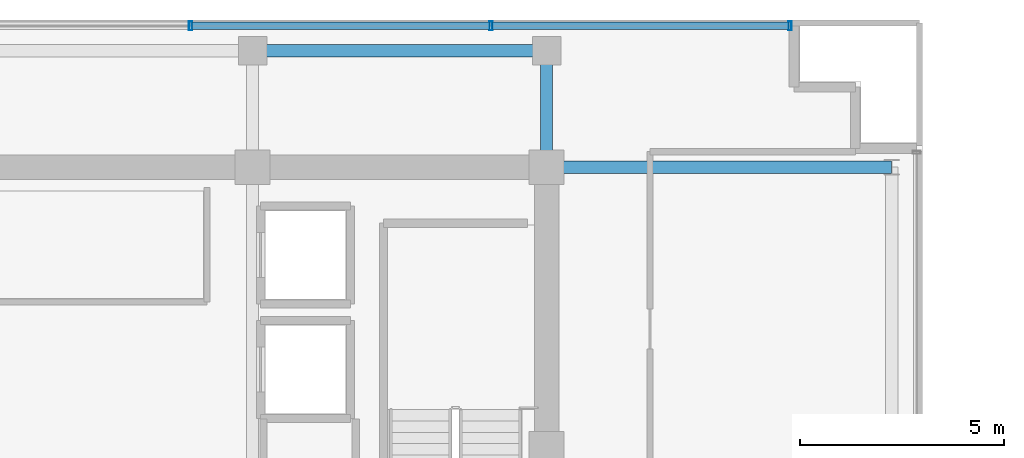
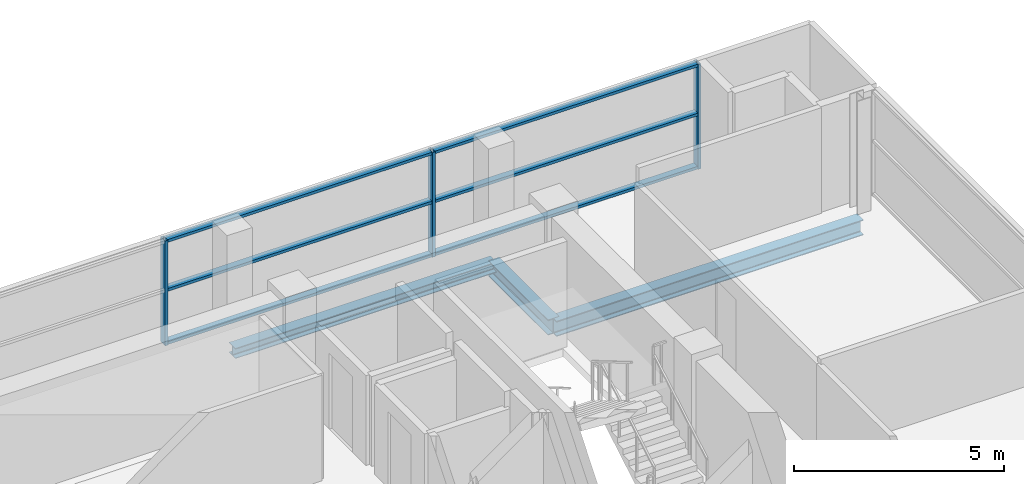
# One storey, part 12 of 22: 9 members, 3 beams, 1 element without a shape of its own.
"""IFC4 building model written with IfcOpenShell, lengths in metres."""

from ifc_helpers import new_model, si_unit, direction, frame, origin, origin_2d, place, context, subcontext, project, spatial, hollow_rectangle, i_section, extrude, source, transform, mapped, material, layer, layer_set, material_profile, profile_set, type_object, element, aggregate, save


model = new_model("IFC4")

# Units and contexts
model_context = context("Model", 3, precision=1e-05, world=origin(), true_north=direction((0.0, 1.0)))
body_context = subcontext(model_context, "Body", "Model", "MODEL_VIEW")
ifc_project = project(units=[si_unit("LENGTHUNIT", "METRE"), si_unit("AREAUNIT", "SQUARE_METRE"), si_unit("VOLUMEUNIT", "CUBIC_METRE"), si_unit("PLANEANGLEUNIT", "RADIAN"), si_unit("MASSUNIT", "GRAM", prefix="KILO")], contexts=[model_context])

# Site, building, storey
site_placement = place(None, origin())
site = spatial("IfcSite", under=ifc_project, at=site_placement, CompositionType="ELEMENT")
building_placement = place(site_placement, origin())
building = spatial("IfcBuilding", under=site, at=building_placement, Name="Zarnakvel Exchange Tower", CompositionType="ELEMENT")
storey_placement = place(building_placement, frame((0.0, 0.0, 251.800048828125)))
storey = spatial("IfcBuildingStorey", under=building, at=storey_placement, Name="L71", CompositionType="ELEMENT", Elevation=251.800048828125)

# Beams
ifc_material_1 = material(Name="Steel S355", Category="steel")
ifc_material_profile_1 = material_profile(ifc_material_1, i_section(OverallWidth=0.300048828125, OverallDepth=0.449951171875, WebThickness=0.013916015625, FlangeThickness=0.02587890625, FilletRadius=0.027099609375, at=origin_2d()))
ifc_profile_set_1 = profile_set([ifc_material_profile_1], Name="Steel S355")
beam_type_1 = type_object("IfcBeamType", Name="G-07", PredefinedType="BEAM", material=ifc_profile_set_1)
beam_1_placement = place(storey_placement, frame((14.39990234375, 13.5, -0.449951171875), z_axis=(1.0, 0.0, 0.0), x_axis=(0.0, 1.0, 0.0)))
element("IfcBeam", 1, at=beam_1_placement, inside=storey, type_object=beam_type_1, Name="L71 Tower E-W Frame Beam", PredefinedType="BEAM", context=body_context, shape_type="SweptSolid", body=[
    extrude(i_section(OverallWidth=0.300048828125, OverallDepth=0.449951171875, WebThickness=0.013916015625, FlangeThickness=0.02587890625, FilletRadius=0.027099609375, at=origin_2d()), origin(), (0.0, 0.0, 1.0), 8.4501953125),
])
beam_2_placement = place(storey_placement, frame((14.39990234375, 13.5, -0.449951171875), z_axis=(0.0, 1.0, 0.0), x_axis=(-1.0, 0.0, 0.0)))
element("IfcBeam", 2, at=beam_2_placement, inside=storey, type_object=beam_type_1, Name="L71 Tower N-S Frame Beam", PredefinedType="BEAM", context=body_context, shape_type="SweptSolid", body=[
    extrude(i_section(OverallWidth=0.300048828125, OverallDepth=0.449951171875, WebThickness=0.013916015625, FlangeThickness=0.02587890625, FilletRadius=0.027099609375, at=origin_2d()), origin(), (0.0, 0.0, 1.0), 2.85009765625),
])
ifc_material_profile_2 = material_profile(ifc_material_1, i_section(OverallWidth=0.300048828125, OverallDepth=0.300048828125, WebThickness=0.010986328125, FlangeThickness=0.01904296875, FilletRadius=0.027099609375, at=origin_2d()))
ifc_profile_set_2 = profile_set([ifc_material_profile_2], Name="Steel S355")
beam_type_2 = type_object("IfcBeamType", Name="SP-03", PredefinedType="SPANDREL", material=ifc_profile_set_2)
beam_3_placement = place(storey_placement, frame((7.199951171875, 16.35009765625, -0.375), z_axis=(1.0, 0.0, 0.0), x_axis=(0.0, 1.0, 0.0)))
element("IfcBeam", 3, at=beam_3_placement, inside=storey, type_object=beam_type_2, Name="L71 Tower E-W Frame Beam", PredefinedType="SPANDREL", context=body_context, shape_type="SweptSolid", body=[
    extrude(i_section(OverallWidth=0.300048828125, OverallDepth=0.300048828125, WebThickness=0.010986328125, FlangeThickness=0.01904296875, FilletRadius=0.027099609375, at=origin_2d()), origin(), (0.0, 0.0, 1.0), 7.199951171875),
])

# Curtain wall, members
ifc_material_2 = material(Name="Architectural Bronze Anodised Aluminium", Category="aluminium")
ifc_layer = layer(ifc_material_2, 0.219970703125)
ifc_layer_set = layer_set([ifc_layer], Name="Architectural Bronze Anodised Aluminium")
curtain_wall_type = type_object("IfcCurtainWallType", Name="CW-03", PredefinedType="NOTDEFINED", material=ifc_layer_set)
curtain_wall_placement = place(storey_placement, origin())
curtain_wall = element("IfcCurtainWall", 4, at=curtain_wall_placement, inside=storey, type_object=curtain_wall_type, Name="L71 Curtain Wall CW-L71-N1 (CW-03)", PredefinedType="NOTDEFINED")
ifc_material_profile_3 = material_profile(ifc_material_2, hollow_rectangle(XDim=0.219970703125, YDim=0.080078125, WallThickness=0.0048828125, at=origin_2d()))
ifc_profile_set_3 = profile_set([ifc_material_profile_3], Name="Architectural Bronze Anodised Aluminium")
member_type_1 = type_object("IfcMemberType", Name="CWM-03", PredefinedType="MULLION", material=ifc_profile_set_3)
shared_shape_1 = source(origin(), body_context, "Body", "SweptSolid", [
    extrude(hollow_rectangle(XDim=0.219970703125, YDim=0.080078125, WallThickness=0.0048828125, at=origin_2d()), origin(), (0.0, 0.0, 1.0), 3.054931640625),
])
member_1_placement = place(storey_placement, frame((5.679931640625, 16.9599609375, 0.0), z_axis=(0.0, 0.0, 1.0), x_axis=(0.0, 1.0, 0.0)))
member_1 = element("IfcMember", 5, at=member_1_placement, type_object=member_type_1, Name="CW-03 mullion 4", PredefinedType="MULLION", context=body_context, shape_type="MappedRepresentation", body=[
    mapped(shared_shape_1, transform((0.0, 0.0, 0.0), x_axis=(1.0, 0.0, 0.0), y_axis=(0.0, 1.0, 0.0), z_axis=(0.0, 0.0, 1.0), scale=1.0)),
])
member_2_placement = place(storey_placement, frame((13.0400390625, 16.9599609375, 0.0), z_axis=(0.0, 0.0, 1.0), x_axis=(0.0, 1.0, 0.0)))
member_2 = element("IfcMember", 6, at=member_2_placement, type_object=member_type_1, Name="CW-03 mullion 5", PredefinedType="MULLION", context=body_context, shape_type="MappedRepresentation", body=[
    mapped(shared_shape_1, transform((0.0, 0.0, 0.0), x_axis=(1.0, 0.0, 0.0), y_axis=(0.0, 1.0, 0.0), z_axis=(0.0, 0.0, 1.0), scale=1.0)),
])
member_3_placement = place(storey_placement, frame((20.360107421875, 16.9599609375, 0.0), z_axis=(0.0, 0.0, 1.0), x_axis=(0.0, 1.0, 0.0)))
member_3 = element("IfcMember", 7, at=member_3_placement, type_object=member_type_1, Name="CW-03 mullion 6", PredefinedType="MULLION", context=body_context, shape_type="MappedRepresentation", body=[
    mapped(shared_shape_1, transform((0.0, 0.0, 0.0), x_axis=(1.0, 0.0, 0.0), y_axis=(0.0, 1.0, 0.0), z_axis=(0.0, 0.0, 1.0), scale=1.0)),
])
ifc_material_profile_4 = material_profile(ifc_material_2, hollow_rectangle(XDim=0.179931640625, YDim=0.080078125, WallThickness=0.00390625, at=origin_2d()))
ifc_profile_set_4 = profile_set([ifc_material_profile_4], Name="Architectural Bronze Anodised Aluminium")
member_type_2 = type_object("IfcMemberType", Name="CWT-03", PredefinedType="USERDEFINED", material=ifc_profile_set_4)
shared_shape_2 = source(origin(), body_context, "Body", "SweptSolid", [
    extrude(hollow_rectangle(XDim=0.179931640625, YDim=0.080078125, WallThickness=0.00390625, at=origin_2d()), origin(), (0.0, 0.0, 1.0), 7.239990234375),
])
member_4_placement = place(storey_placement, frame((13.080078125, 16.9599609375, 0.0400390625), z_axis=(1.0, 0.0, 0.0), x_axis=(0.0, 1.0, 0.0)))
member_4 = element("IfcMember", 8, at=member_4_placement, type_object=member_type_2, Name="CW-03 transom 5.1", ObjectType="TRANSOM", PredefinedType="USERDEFINED", context=body_context, shape_type="MappedRepresentation", body=[
    mapped(shared_shape_2, transform((0.0, 0.0, 0.0), x_axis=(1.0, 0.0, 0.0), y_axis=(0.0, 1.0, 0.0), z_axis=(0.0, 0.0, 1.0), scale=1.0)),
])
member_5_placement = place(storey_placement, frame((13.080078125, 16.9599609375, 1.588623046875), z_axis=(1.0, 0.0, 0.0), x_axis=(0.0, 1.0, 0.0)))
member_5 = element("IfcMember", 9, at=member_5_placement, type_object=member_type_2, Name="CW-03 transom 5.2", ObjectType="TRANSOM", PredefinedType="USERDEFINED", context=body_context, shape_type="MappedRepresentation", body=[
    mapped(shared_shape_2, transform((0.0, 0.0, 0.0), x_axis=(1.0, 0.0, 0.0), y_axis=(0.0, 1.0, 0.0), z_axis=(0.0, 0.0, 1.0), scale=1.0)),
])
member_6_placement = place(storey_placement, frame((13.080078125, 16.9599609375, 3.014892578125), z_axis=(1.0, 0.0, 0.0), x_axis=(0.0, 1.0, 0.0)))
member_6 = element("IfcMember", 10, at=member_6_placement, type_object=member_type_2, Name="CW-03 transom 5.3", ObjectType="TRANSOM", PredefinedType="USERDEFINED", context=body_context, shape_type="MappedRepresentation", body=[
    mapped(shared_shape_2, transform((0.0, 0.0, 0.0), x_axis=(1.0, 0.0, 0.0), y_axis=(0.0, 1.0, 0.0), z_axis=(0.0, 0.0, 1.0), scale=1.0)),
])
shared_shape_3 = source(origin(), body_context, "Body", "SweptSolid", [
    extrude(hollow_rectangle(XDim=0.179931640625, YDim=0.080078125, WallThickness=0.00390625, at=origin_2d()), origin(), (0.0, 0.0, 1.0), 7.280029296875),
])
member_7_placement = place(storey_placement, frame((5.719970703125, 16.9599609375, 0.0400390625), z_axis=(1.0, 0.0, 0.0), x_axis=(0.0, 1.0, 0.0)))
member_7 = element("IfcMember", 11, at=member_7_placement, type_object=member_type_2, Name="CW-03 transom 4.1", ObjectType="TRANSOM", PredefinedType="USERDEFINED", context=body_context, shape_type="MappedRepresentation", body=[
    mapped(shared_shape_3, transform((0.0, 0.0, 0.0), x_axis=(1.0, 0.0, 0.0), y_axis=(0.0, 1.0, 0.0), z_axis=(0.0, 0.0, 1.0), scale=1.0)),
])
member_8_placement = place(storey_placement, frame((5.719970703125, 16.9599609375, 1.588623046875), z_axis=(1.0, 0.0, 0.0), x_axis=(0.0, 1.0, 0.0)))
member_8 = element("IfcMember", 12, at=member_8_placement, type_object=member_type_2, Name="CW-03 transom 4.2", ObjectType="TRANSOM", PredefinedType="USERDEFINED", context=body_context, shape_type="MappedRepresentation", body=[
    mapped(shared_shape_3, transform((0.0, 0.0, 0.0), x_axis=(1.0, 0.0, 0.0), y_axis=(0.0, 1.0, 0.0), z_axis=(0.0, 0.0, 1.0), scale=1.0)),
])
member_9_placement = place(storey_placement, frame((5.719970703125, 16.9599609375, 3.014892578125), z_axis=(1.0, 0.0, 0.0), x_axis=(0.0, 1.0, 0.0)))
member_9 = element("IfcMember", 13, at=member_9_placement, type_object=member_type_2, Name="CW-03 transom 4.3", ObjectType="TRANSOM", PredefinedType="USERDEFINED", context=body_context, shape_type="MappedRepresentation", body=[
    mapped(shared_shape_3, transform((0.0, 0.0, 0.0), x_axis=(1.0, 0.0, 0.0), y_axis=(0.0, 1.0, 0.0), z_axis=(0.0, 0.0, 1.0), scale=1.0)),
])
aggregate(curtain_wall, [member_1, member_2, member_3, member_7, member_8, member_9, member_4, member_5, member_6])

save(model, "model.ifc")
